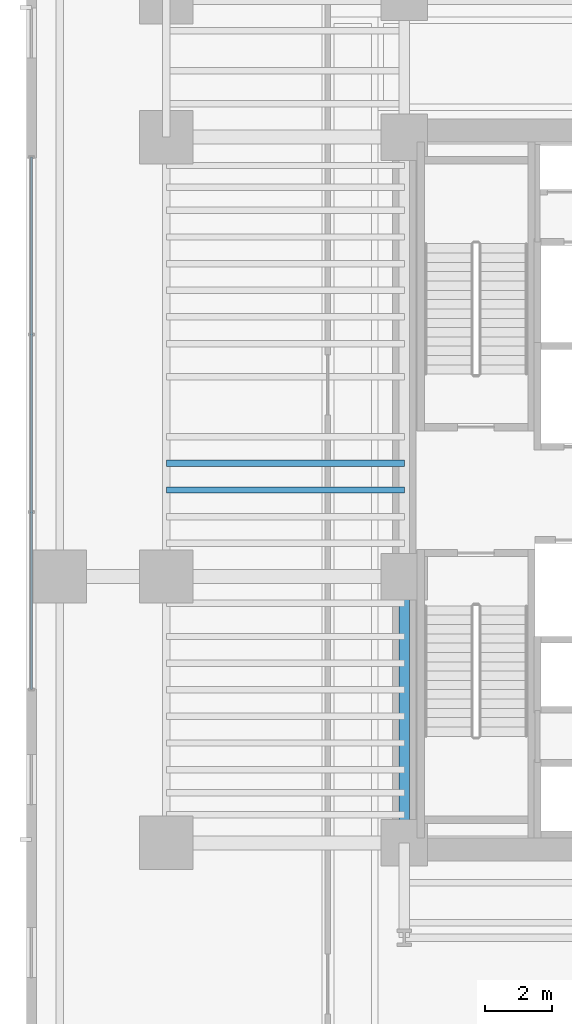
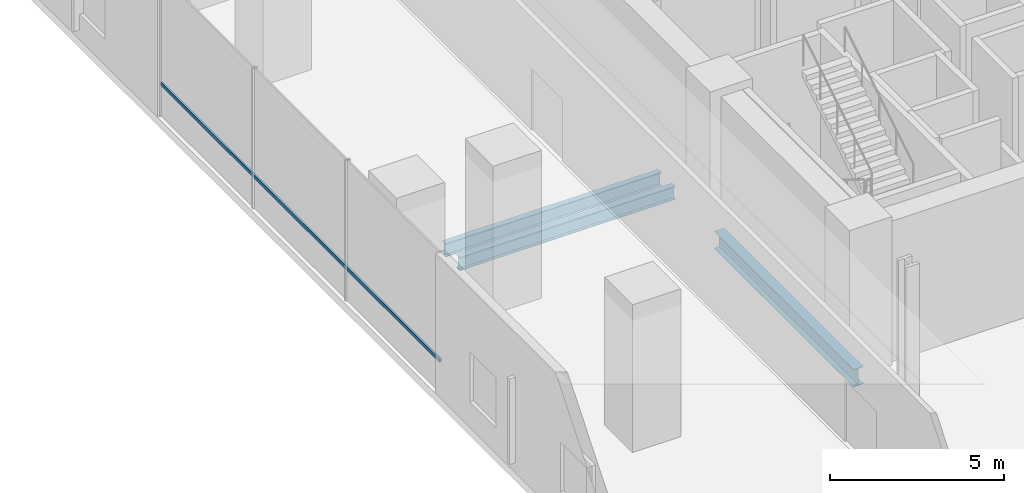
# One storey, part 3 of 39: 3 beams, 1 member, 1 element without a shape of its own.
"""IFC4 building model written with IfcOpenShell, lengths in metres."""

from ifc_helpers import new_model, si_unit, direction, frame, origin, origin_2d, place, context, subcontext, project, spatial, hollow_rectangle, i_section, extrude, source, transform, mapped, material, material_profile, profile_set, type_object, element, aggregate, save


model = new_model("IFC4")

# Units and contexts
model_context = context("Model", 3, precision=1e-05, world=origin(), true_north=direction((0.0, 1.0)))
body_context = subcontext(model_context, "Body", "Model", "MODEL_VIEW")
ifc_project = project(units=[si_unit("LENGTHUNIT", "METRE"), si_unit("AREAUNIT", "SQUARE_METRE"), si_unit("VOLUMEUNIT", "CUBIC_METRE"), si_unit("PLANEANGLEUNIT", "RADIAN"), si_unit("MASSUNIT", "GRAM", prefix="KILO")], contexts=[model_context])

# Site, building, storey
site_placement = place(None, origin())
site = spatial("IfcSite", under=ifc_project, at=site_placement, CompositionType="ELEMENT")
building_placement = place(site_placement, origin())
building = spatial("IfcBuilding", under=site, at=building_placement, Name="Valdorenza Pilgrim Sanctuary Tower", CompositionType="ELEMENT")
storey_placement = place(building_placement, frame((0.0, 0.0, 5.199951171875)))
storey = spatial("IfcBuildingStorey", under=building, at=storey_placement, Name="L01", CompositionType="ELEMENT", Elevation=5.199951171875)

# Beams
ifc_material_1 = material(Name="Steel ASTM A992 Grade 50", Category="steel")
ifc_material_profile_1 = material_profile(ifc_material_1, i_section(OverallWidth=0.323974609375, OverallDepth=0.611083984375, WebThickness=0.0126953125, FlangeThickness=0.01904296875, at=origin_2d()), Name="W24X104")
ifc_profile_set_1 = profile_set([ifc_material_profile_1], Name="Steel ASTM A992 Grade 50")
beam_type_1 = type_object("IfcBeamType", Name="STR-BM-GRD-W24B", PredefinedType="BEAM", material=ifc_profile_set_1)
shared_shape_1 = source(origin(), body_context, "Body", "SweptSolid", [
    extrude(i_section(OverallWidth=0.323974609375, OverallDepth=0.611083984375, WebThickness=0.0126953125, FlangeThickness=0.01904296875, at=origin_2d()), origin(), (0.0, 0.0, 1.0), 8.0),
])
beam_placement = place(storey_placement, frame((-22.64990234375, -10.60009765625, -0.58544921875), z_axis=(0.0, 1.0, 0.0), x_axis=(-1.0, 0.0, 0.0)))
element("IfcBeam", 1, at=beam_placement, inside=storey, type_object=beam_type_1, Name="L01 Core Tie Girder CA-W-S1M0", PredefinedType="BEAM", context=body_context, shape_type="MappedRepresentation", body=[
    mapped(shared_shape_1, transform((0.0, 0.0, 0.0), x_axis=(1.0, 0.0, 0.0), y_axis=(0.0, 1.0, 0.0), z_axis=(0.0, 0.0, 1.0), scale=1.0)),
])
ifc_material_profile_2 = material_profile(ifc_material_1, i_section(OverallWidth=0.193115234375, OverallDepth=0.466064453125, WebThickness=0.011474609375, FlangeThickness=0.01904296875, at=origin_2d()), Name="W18X65")
ifc_profile_set_2 = profile_set([ifc_material_profile_2], Name="Steel ASTM A992 Grade 50")
beam_type_2 = type_object("IfcBeamType", Name="STR-BM-JST-W18A", PredefinedType="JOIST", material=ifc_profile_set_2)
shared_shape_2 = source(origin(), body_context, "Body", "SweptSolid", [
    extrude(i_section(OverallWidth=0.193115234375, OverallDepth=0.466064453125, WebThickness=0.011474609375, FlangeThickness=0.01904296875, at=origin_2d()), origin(), (0.0, 0.0, 1.0), 7.150146484375),
])
for number, where, z_axis, x_axis, name in (
    (2, (-29.800048828125, 0.0, -0.512939453125), (1.0, 0.0, 0.0), (0.0, 1.0, 0.0), "L01 Composite Floor Joist JST-WA-12"),
    (3, (-29.800048828125, 0.800048828125, -0.512939453125), (1.0, 0.0, 0.0), (0.0, 1.0, 0.0), "L01 Composite Floor Joist JST-WA-13"),
):
    element("IfcBeam", number, at=place(storey_placement, frame(where, z_axis=z_axis, x_axis=x_axis)), inside=storey, type_object=beam_type_2, Name=name, PredefinedType="JOIST", context=body_context, shape_type="MappedRepresentation", body=[
        mapped(shared_shape_2, transform((0.0, 0.0, 0.0), x_axis=(1.0, 0.0, 0.0), y_axis=(0.0, 1.0, 0.0), z_axis=(0.0, 0.0, 1.0), scale=1.0)),
    ])

# Curtain wall, member
ifc_material_2 = material(Name="Curtain-wall IGU glazing", Category="glass")
curtain_wall_type = type_object("IfcCurtainWallType", Name="CW-SYS-01", PredefinedType="NOTDEFINED", material=ifc_material_2)
curtain_wall_placement = place(storey_placement, origin())
curtain_wall = element("IfcCurtainWall", 4, at=curtain_wall_placement, inside=storey, type_object=curtain_wall_type, Name="L01 Curtain Wall CW-POD-L01-WW", PredefinedType="NOTDEFINED")
ifc_material_3 = material(Name="Anodised aluminium AW-6060", Category="aluminium")
ifc_material_profile_3 = material_profile(ifc_material_3, hollow_rectangle(XDim=0.06494140625, YDim=0.1298828125, WallThickness=0.00341796875, at=origin_2d()), Name="ALU-T 130x65x3.5")
ifc_profile_set_3 = profile_set([ifc_material_profile_3], Name="Anodised aluminium AW-6060")
member_type = type_object("IfcMemberType", Name="CW-TRN-01", PredefinedType="USERDEFINED", material=ifc_profile_set_3)
shared_shape_3 = source(origin(), body_context, "Body", "SweptSolid", [
    extrude(hollow_rectangle(XDim=0.06494140625, YDim=0.1298828125, WallThickness=0.00341796875, at=origin_2d()), origin(), (0.0, 0.0, 1.0), 16.0),
])
member_placement = place(storey_placement, frame((-33.85009765625, -6.0, 1.1201171875), z_axis=(0.0, 1.0, 0.0), x_axis=(-1.0, 0.0, 0.0)))
member = element("IfcMember", 5, at=member_placement, type_object=member_type, Name="CW-POD-L01-WW Transom 1", ObjectType="TRANSOM", PredefinedType="USERDEFINED", context=body_context, shape_type="MappedRepresentation", body=[
    mapped(shared_shape_3, transform((0.0, 0.0, 0.0), x_axis=(1.0, 0.0, 0.0), y_axis=(0.0, 1.0, 0.0), z_axis=(0.0, 0.0, 1.0), scale=1.0)),
])
aggregate(curtain_wall, [member])

save(model, "model.ifc")
